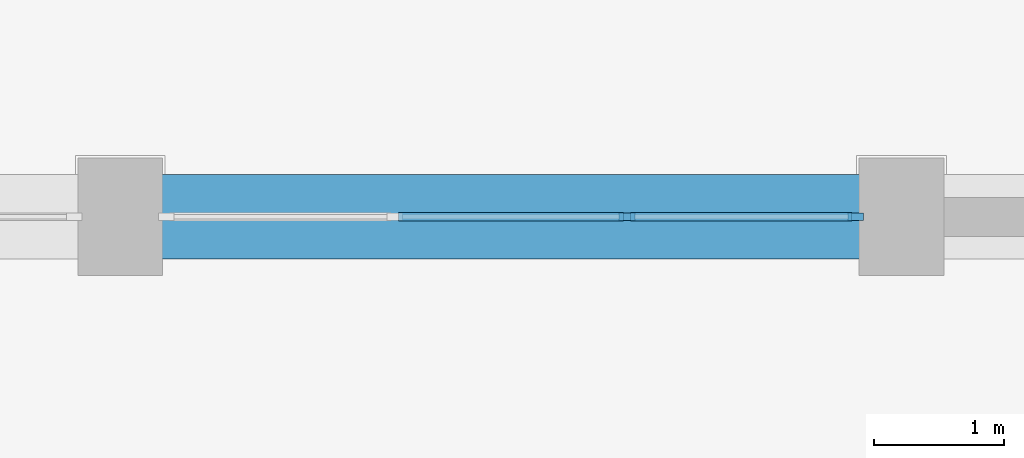
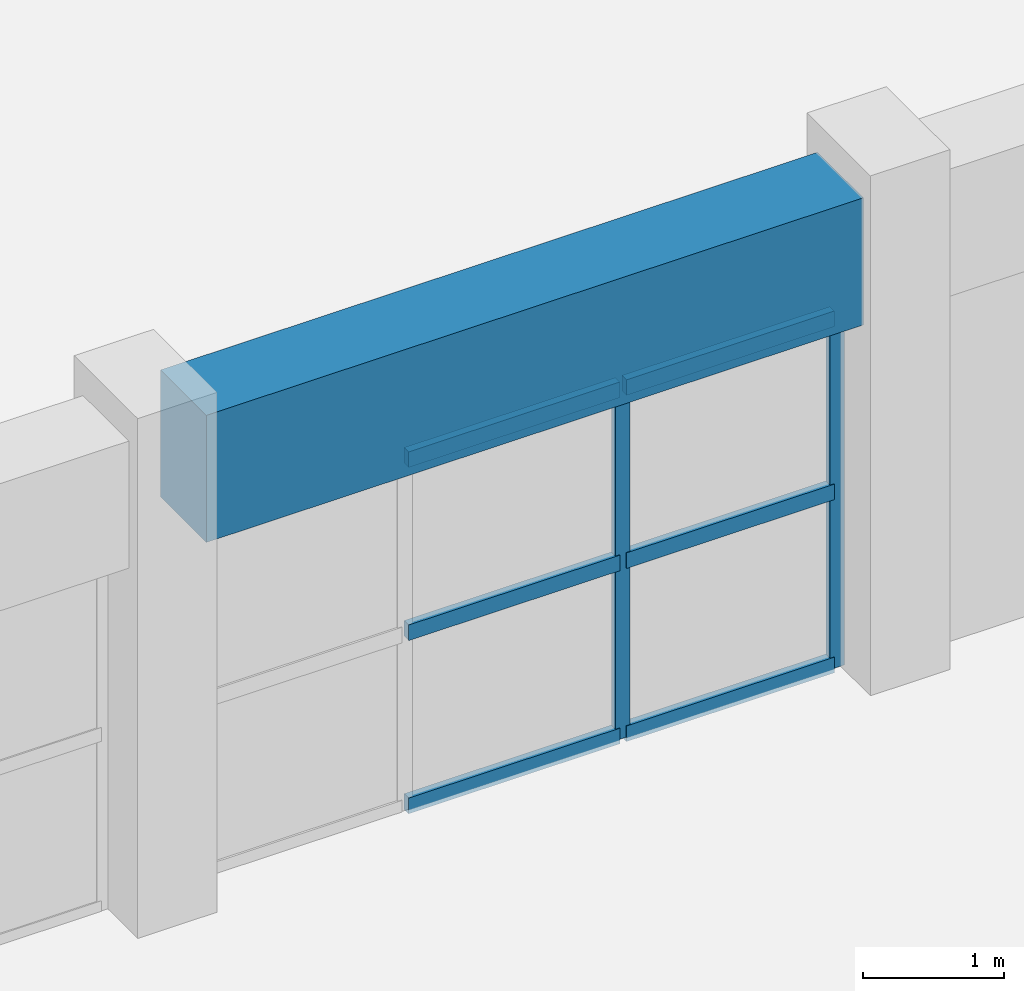
# One storey, part 16 of 76: 8 members, 1 beam, 1 element without a shape of its own.
"""IFC4 building model written with IfcOpenShell, lengths in metres."""

from ifc_helpers import new_model, si_unit, direction, frame, origin, origin_2d, place, context, subcontext, project, spatial, rectangle, extrude, material, layer, layer_set, material_profile, profile_set, type_object, element, aggregate, save


model = new_model("IFC4")

# Units and contexts
model_context = context("Model", 3, precision=1e-05, world=origin(), true_north=direction((0.0, 1.0)))
body_context = subcontext(model_context, "Body", "Model", "MODEL_VIEW")
ifc_project = project(units=[si_unit("LENGTHUNIT", "METRE"), si_unit("AREAUNIT", "SQUARE_METRE"), si_unit("VOLUMEUNIT", "CUBIC_METRE"), si_unit("PLANEANGLEUNIT", "RADIAN"), si_unit("MASSUNIT", "GRAM", prefix="KILO"), si_unit("POWERUNIT", "WATT"), si_unit("THERMODYNAMICTEMPERATUREUNIT", "KELVIN")], contexts=[model_context])

# Site, building, storey
site_placement = place(None, origin())
site = spatial("IfcSite", under=ifc_project, at=site_placement, CompositionType="ELEMENT")
building_placement = place(site_placement, origin())
building = spatial("IfcBuilding", under=site, at=building_placement, Name="Ruvembo Vaulted Housing Court", CompositionType="ELEMENT")
storey_placement = place(building_placement, origin())
storey = spatial("IfcBuildingStorey", under=building, at=storey_placement, Name="L00", CompositionType="ELEMENT", Elevation=0.0)

# Curtain wall, members
ifc_material_1 = material(Name="Anodised Aluminium and Solar-Control Glass", Category="aluminium")
ifc_layer = layer(ifc_material_1, 0.159912109375, Name="Anodised Aluminium and Solar-Control Glass")
ifc_layer_set = layer_set([ifc_layer], Name="Anodised Aluminium and Solar-Control Glass")
curtain_wall_type = type_object("IfcCurtainWallType", Name="CW-HALL-SIDE", PredefinedType="NOTDEFINED", material=ifc_layer_set)
curtain_wall_placement = place(storey_placement, origin())
curtain_wall = element("IfcCurtainWall", 1, at=curtain_wall_placement, inside=storey, type_object=curtain_wall_type, Name="L00 Curtain Wall CW-L00-0103", PredefinedType="NOTDEFINED")
ifc_material_2 = material(Name="Anodised Aluminium 6063-T6", Category="aluminium")
ifc_material_profile_1 = material_profile(ifc_material_2, rectangle(XDim=0.054931640625, YDim=0.1201171875, at=origin_2d()), Name="ALU 55x120")
ifc_profile_set_1 = profile_set([ifc_material_profile_1], Name="Anodised Aluminium 6063-T6")
member_type_1 = type_object("IfcMemberType", Name="CW-MUL-55x120", PredefinedType="MULLION", material=ifc_profile_set_1)
member_1_placement = place(storey_placement, frame((93.8916015625, 42.0, 0.0), z_axis=(0.0, 0.0, 1.0), x_axis=(0.0, 1.0, 0.0)))
member_1 = element("IfcMember", 2, at=member_1_placement, type_object=member_type_1, Name="CW1 mullion 3", PredefinedType="MULLION", context=body_context, shape_type="SweptSolid", body=[
    extrude(rectangle(XDim=0.054931640625, YDim=0.1201171875, at=origin_2d()), origin(), (0.0, 0.0, 1.0), 3.06201171875),
])
member_2_placement = place(storey_placement, frame((95.6474609375, 42.0, 0.0), z_axis=(0.0, 0.0, 1.0), x_axis=(0.0, 1.0, 0.0)))
member_2 = element("IfcMember", 3, at=member_2_placement, type_object=member_type_1, Name="CW1 mullion 4", PredefinedType="MULLION", context=body_context, shape_type="SweptSolid", body=[
    extrude(rectangle(XDim=0.054931640625, YDim=0.1201171875, at=origin_2d()), origin(), (0.0, 0.0, 1.0), 3.06201171875),
])
ifc_material_profile_2 = material_profile(ifc_material_2, rectangle(XDim=0.06494140625, YDim=0.135009765625, at=origin_2d()), Name="ALU 65x135")
ifc_profile_set_2 = profile_set([ifc_material_profile_2], Name="Anodised Aluminium 6063-T6")
member_type_2 = type_object("IfcMemberType", Name="CW-TRN-65x135", PredefinedType="USERDEFINED", material=ifc_profile_set_2)
member_3_placement = place(storey_placement, frame((92.1357421875, 42.0, 0.032470703125), z_axis=(1.0, 0.0, 0.0), x_axis=(0.0, 1.0, 0.0)))
member_3 = element("IfcMember", 4, at=member_3_placement, type_object=member_type_2, Name="CW1 transom 2.1", ObjectType="TRANSOM", PredefinedType="USERDEFINED", context=body_context, shape_type="SweptSolid", body=[
    extrude(rectangle(XDim=0.06494140625, YDim=0.135009765625, at=origin_2d()), origin(), (0.0, 0.0, 1.0), 1.728515625),
])
member_4_placement = place(storey_placement, frame((92.1357421875, 42.0, 1.531005859375), z_axis=(1.0, 0.0, 0.0), x_axis=(0.0, 1.0, 0.0)))
member_4 = element("IfcMember", 5, at=member_4_placement, type_object=member_type_2, Name="CW1 transom 2.2", ObjectType="TRANSOM", PredefinedType="USERDEFINED", context=body_context, shape_type="SweptSolid", body=[
    extrude(rectangle(XDim=0.06494140625, YDim=0.135009765625, at=origin_2d()), origin(), (0.0, 0.0, 1.0), 1.728515625),
])
member_5_placement = place(storey_placement, frame((92.1357421875, 42.0, 3.029541015625), z_axis=(1.0, 0.0, 0.0), x_axis=(0.0, 1.0, 0.0)))
member_5 = element("IfcMember", 6, at=member_5_placement, type_object=member_type_2, Name="CW1 transom 2.3", ObjectType="TRANSOM", PredefinedType="USERDEFINED", context=body_context, shape_type="SweptSolid", body=[
    extrude(rectangle(XDim=0.06494140625, YDim=0.135009765625, at=origin_2d()), origin(), (0.0, 0.0, 1.0), 1.728515625),
])
member_6_placement = place(storey_placement, frame((93.919189453125, 42.0, 0.032470703125), z_axis=(1.0, 0.0, 0.0), x_axis=(0.0, 1.0, 0.0)))
member_6 = element("IfcMember", 7, at=member_6_placement, type_object=member_type_2, Name="CW1 transom 3.1", ObjectType="TRANSOM", PredefinedType="USERDEFINED", context=body_context, shape_type="SweptSolid", body=[
    extrude(rectangle(XDim=0.06494140625, YDim=0.135009765625, at=origin_2d()), origin(), (0.0, 0.0, 1.0), 1.700927734375),
])
member_7_placement = place(storey_placement, frame((93.919189453125, 42.0, 1.531005859375), z_axis=(1.0, 0.0, 0.0), x_axis=(0.0, 1.0, 0.0)))
member_7 = element("IfcMember", 8, at=member_7_placement, type_object=member_type_2, Name="CW1 transom 3.2", ObjectType="TRANSOM", PredefinedType="USERDEFINED", context=body_context, shape_type="SweptSolid", body=[
    extrude(rectangle(XDim=0.06494140625, YDim=0.135009765625, at=origin_2d()), origin(), (0.0, 0.0, 1.0), 1.700927734375),
])
member_8_placement = place(storey_placement, frame((93.919189453125, 42.0, 3.029541015625), z_axis=(1.0, 0.0, 0.0), x_axis=(0.0, 1.0, 0.0)))
member_8 = element("IfcMember", 9, at=member_8_placement, type_object=member_type_2, Name="CW1 transom 3.3", ObjectType="TRANSOM", PredefinedType="USERDEFINED", context=body_context, shape_type="SweptSolid", body=[
    extrude(rectangle(XDim=0.06494140625, YDim=0.135009765625, at=origin_2d()), origin(), (0.0, 0.0, 1.0), 1.700927734375),
])
aggregate(curtain_wall, [member_1, member_2, member_3, member_4, member_5, member_6, member_7, member_8])

# Beam
ifc_material_3 = material(Name="Concrete C40/50", Category="concrete")
ifc_material_profile_3 = material_profile(ifc_material_3, rectangle(XDim=0.64990234375, YDim=1.10009765625, at=origin_2d()), Name="RC 650x1100")
ifc_profile_set_3 = profile_set([ifc_material_profile_3], Name="Concrete C40/50")
beam_type = type_object("IfcBeamType", Name="TB-RC-650x1100", PredefinedType="BEAM", material=ifc_profile_set_3)
beam_placement = place(storey_placement, frame((90.31005859375, 42.0, 3.679931640625), z_axis=(1.0, 0.0, 0.0), x_axis=(0.0, 1.0, 0.0)))
element("IfcBeam", 10, at=beam_placement, inside=storey, type_object=beam_type, Name="L00 Grid Beam X #840", PredefinedType="BEAM", context=body_context, shape_type="SweptSolid", body=[
    extrude(rectangle(XDim=0.64990234375, YDim=1.10009765625, at=origin_2d()), origin(), (0.0, 0.0, 1.0), 5.3798828125),
])

save(model, "model.ifc")
